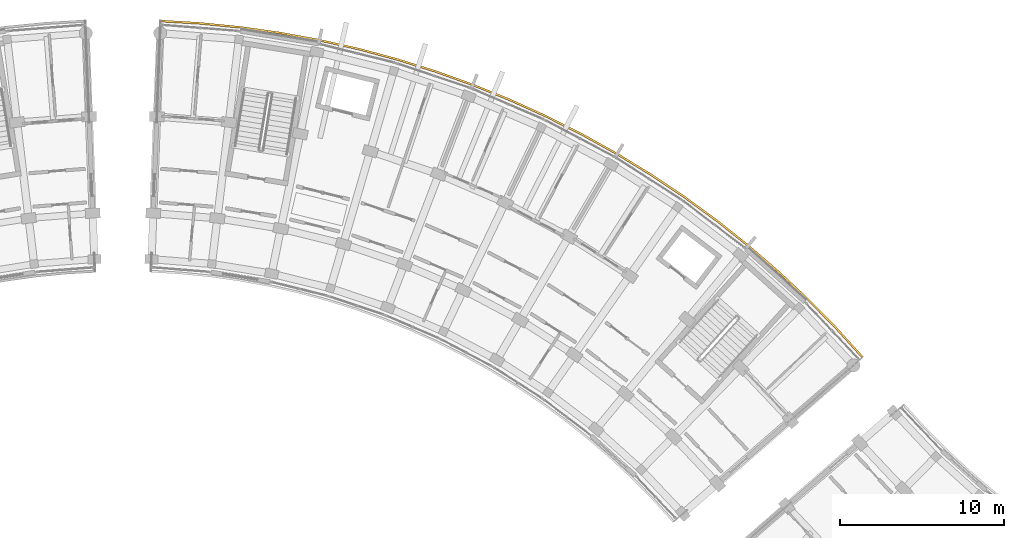
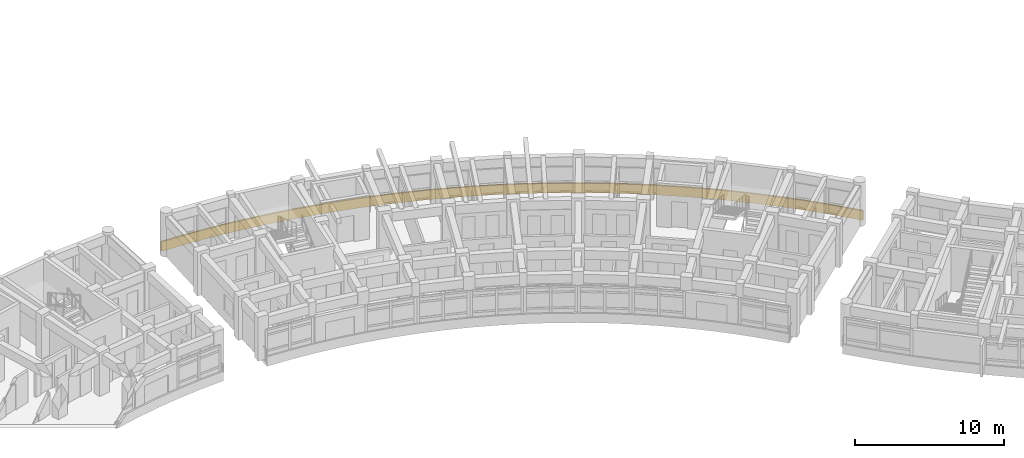
# One storey, part 78 of 83: 1 railing.
"""IFC4 building model written with IfcOpenShell, lengths in metres."""

from ifc_helpers import new_model, si_unit, direction, frame, origin, place, context, subcontext, project, spatial, polyline, outline, extrude, material, type_object, element, save


model = new_model("IFC4")

# Units and contexts
model_context = context("Model", 3, precision=1e-05, world=origin(), true_north=direction((0.0, 1.0)))
body_context = subcontext(model_context, "Body", "Model", "MODEL_VIEW")
ifc_project = project(units=[si_unit("LENGTHUNIT", "METRE"), si_unit("AREAUNIT", "SQUARE_METRE"), si_unit("VOLUMEUNIT", "CUBIC_METRE"), si_unit("PLANEANGLEUNIT", "RADIAN"), si_unit("MASSUNIT", "GRAM", prefix="KILO")], contexts=[model_context])

# Site, building, storey
site_placement = place(None, origin())
site = spatial("IfcSite", under=ifc_project, at=site_placement, CompositionType="ELEMENT")
building_placement = place(site_placement, origin())
building = spatial("IfcBuilding", under=site, at=building_placement, Name="Zimvara Arc Housing Community", CompositionType="ELEMENT")
storey_placement = place(building_placement, frame((0.0, 0.0, 4.5)))
storey = spatial("IfcBuildingStorey", under=building, at=storey_placement, Name="L01", CompositionType="ELEMENT", Elevation=4.5)

# Railing
ifc_material = material(Name="Pale-Gold Anodised Aluminium AW-6063", Category="aluminium")
railing_type = type_object("IfcRailingType", Name="RLG-FAS-780", PredefinedType="BALUSTRADE", material=ifc_material)
railing_placement = place(storey_placement, frame((0.0, 0.0, -0.219970703125)))
element("IfcRailing", 1, at=railing_placement, inside=storey, type_object=railing_type, Name="rlg:blkB:L01:gold_out", PredefinedType="BALUSTRADE", context=body_context, shape_type="SweptSolid", body=[
    extrude(outline(polyline([(47.286376953125, 104.01611328125), (49.71435546875, 103.873046875), (52.134765625, 103.631103515625), (54.54296875, 103.29052734375), (56.935546875, 102.851806640625), (59.307861328125, 102.31591796875), (61.65673828125, 101.68359375), (63.9775390625, 100.955810546875), (66.266845703125, 100.1337890625), (68.5205078125, 99.218994140625), (70.735107421875, 98.213134765625), (72.90673828125, 97.11767578125), (75.03173828125, 95.934326171875), (77.106689453125, 94.665283203125), (79.128173828125, 93.3125), (81.0927734375, 91.87841796875), (82.9970703125, 90.365234375), (84.837890625, 88.775634765625), (86.612548828125, 87.112060546875), (88.317626953125, 85.377685546875), (89.950439453125, 83.574951171875), (90.041015625, 83.653564453125), (88.40478515625, 85.4599609375), (86.6962890625, 87.197998046875), (84.918212890625, 88.86474609375), (83.073486328125, 90.457763671875), (81.165283203125, 91.973876953125), (79.197021484375, 93.410888671875), (77.17138671875, 94.766357421875), (75.09228515625, 96.037841796875), (72.962890625, 97.2236328125), (70.786865234375, 98.3212890625), (68.56787109375, 99.329345703125), (66.3095703125, 100.245849609375), (64.015625, 101.069580078125), (61.690185546875, 101.798583984375), (59.3369140625, 102.432373046875), (56.95947265625, 102.969482421875), (54.562255859375, 103.408935546875), (52.149169921875, 103.750244140625), (49.723876953125, 103.99267578125), (47.291015625, 104.135986328125), (47.286376953125, 104.01611328125)])), origin(), (0.0, 0.0, 1.0), 0.780029296875),
])

save(model, "model.ifc")
